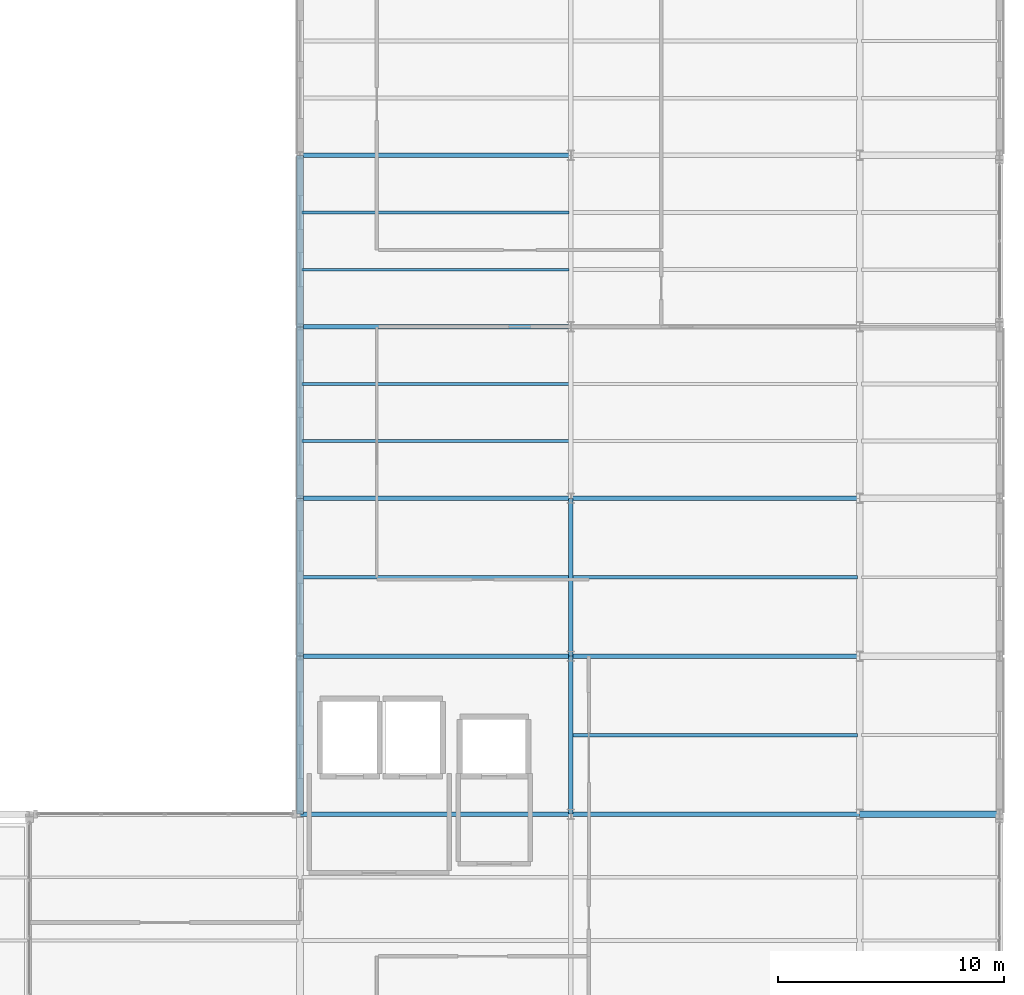
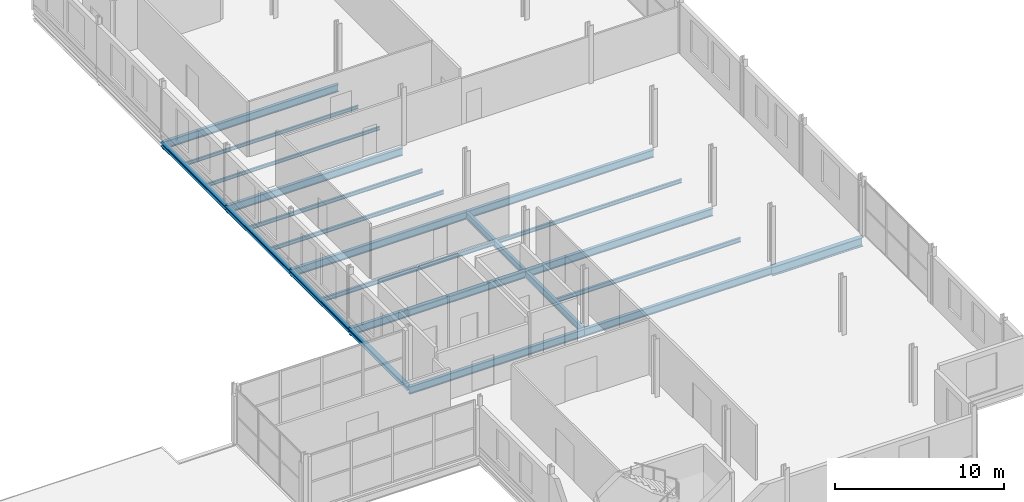
# One storey, part 70 of 93: 22 beams.
"""IFC4 building model written with IfcOpenShell, lengths in metres."""

from ifc_helpers import new_model, si_unit, direction, frame, origin, origin_2d, place, context, subcontext, project, spatial, i_section, extrude, material, material_profile, profile_set, type_object, element, save


model = new_model("IFC4")

# Units and contexts
model_context = context("Model", 3, precision=1e-05, world=origin(), true_north=direction((0.0, 1.0)))
body_context = subcontext(model_context, "Body", "Model", "MODEL_VIEW")
ifc_project = project(units=[si_unit("LENGTHUNIT", "METRE"), si_unit("AREAUNIT", "SQUARE_METRE"), si_unit("VOLUMEUNIT", "CUBIC_METRE"), si_unit("PLANEANGLEUNIT", "RADIAN"), si_unit("MASSUNIT", "GRAM", prefix="KILO")], contexts=[model_context])

# Site, building, storey
site_placement = place(None, origin())
site = spatial("IfcSite", under=ifc_project, at=site_placement, CompositionType="ELEMENT")
building_placement = place(site_placement, origin())
building = spatial("IfcBuilding", under=site, at=building_placement, Name="Vekula Escarpment Museum", CompositionType="ELEMENT")
storey_placement = place(building_placement, frame((0.0, 0.0, 22.199951171875)))
storey = spatial("IfcBuildingStorey", under=building, at=storey_placement, Name="L05", CompositionType="ELEMENT", Elevation=22.199951171875)

# Beams
ifc_material_1 = material(Name="Steel S355", Category="steel")
ifc_material_profile_1 = material_profile(ifc_material_1, i_section(OverallWidth=0.300048828125, OverallDepth=0.64990234375, WebThickness=0.01611328125, FlangeThickness=0.031005859375, FilletRadius=0.027099609375, at=origin_2d()), Name="HEB 650")
ifc_profile_set_1 = profile_set([ifc_material_profile_1], Name="Steel S355")
beam_type_1 = type_object("IfcBeamType", Name="BM-GIRD-HEB650", PredefinedType="BEAM", material=ifc_profile_set_1)
beam_1_placement = place(storey_placement, frame((191.800048828125, 76.39990234375, -0.574951171875), z_axis=(1.0, 0.0, 0.0), x_axis=(0.0, 1.0, 0.0)))
element("IfcBeam", 1, at=beam_1_placement, inside=storey, type_object=beam_type_1, Name="Beam X L05 2028", PredefinedType="BEAM", context=body_context, shape_type="SweptSolid", body=[
    extrude(i_section(OverallWidth=0.300048828125, OverallDepth=0.64990234375, WebThickness=0.01611328125, FlangeThickness=0.031005859375, FilletRadius=0.027099609375, at=origin_2d()), origin(), (0.0, 0.0, 1.0), 6.199951171875),
])
ifc_material_2 = material(Name="Steel S355", Category="steel")
ifc_material_profile_2 = material_profile(ifc_material_2, i_section(OverallWidth=0.199951171875, OverallDepth=0.5, WebThickness=0.01025390625, FlangeThickness=0.01611328125, FilletRadius=0.02099609375, at=origin_2d()), Name="IPE 500")
ifc_profile_set_2 = profile_set([ifc_material_profile_2], Name="Steel S355")
beam_type_2 = type_object("IfcBeamType", Name="BM-GIRD-IPE500", PredefinedType="BEAM", material=ifc_profile_set_2)
for number, where, z_axis, x_axis, name in (
    (2, (179.0, 76.39990234375, -0.5), (0.0, 1.0, 0.0), (-1.0, 0.0, 0.0), "Beam Y L05 2169"),
    (3, (179.0, 83.39990234375, -0.5), (0.0, 1.0, 0.0), (-1.0, 0.0, 0.0), "Beam Y L05 2170"),
):
    element("IfcBeam", number, at=place(storey_placement, frame(where, z_axis=z_axis, x_axis=x_axis)), inside=storey, type_object=beam_type_2, Name=name, PredefinedType="BEAM", context=body_context, shape_type="SweptSolid", body=[
        extrude(i_section(OverallWidth=0.199951171875, OverallDepth=0.5, WebThickness=0.01025390625, FlangeThickness=0.01611328125, FilletRadius=0.02099609375, at=origin_2d()), origin(), (0.0, 0.0, 1.0), 7.0),
    ])
ifc_material_3 = material(Name="Steel S355", Category="steel")
ifc_material_profile_3 = material_profile(ifc_material_3, i_section(OverallWidth=0.2099609375, OverallDepth=0.550048828125, WebThickness=0.010986328125, FlangeThickness=0.01708984375, FilletRadius=0.02392578125, at=origin_2d()), Name="IPE 550")
ifc_profile_set_3 = profile_set([ifc_material_profile_3], Name="Steel S355")
beam_type_3 = type_object("IfcBeamType", Name="BM-GIRD-IPE550", PredefinedType="BEAM", material=ifc_profile_set_3)
beam_2_placement = place(storey_placement, frame((167.0, 76.39990234375, -0.52490234375), z_axis=(1.0, 0.0, 0.0), x_axis=(0.0, 1.0, 0.0)))
element("IfcBeam", 4, at=beam_2_placement, inside=storey, type_object=beam_type_3, Name="Beam X L05 2026", PredefinedType="BEAM", context=body_context, shape_type="SweptSolid", body=[
    extrude(i_section(OverallWidth=0.2099609375, OverallDepth=0.550048828125, WebThickness=0.010986328125, FlangeThickness=0.01708984375, FilletRadius=0.02392578125, at=origin_2d()), origin(), (0.0, 0.0, 1.0), 12.0),
])
beam_3_placement = place(storey_placement, frame((179.0, 76.39990234375, -0.52490234375), z_axis=(1.0, 0.0, 0.0), x_axis=(0.0, 1.0, 0.0)))
element("IfcBeam", 5, at=beam_3_placement, inside=storey, type_object=beam_type_3, Name="Beam X L05 2027", PredefinedType="BEAM", context=body_context, shape_type="SweptSolid", body=[
    extrude(i_section(OverallWidth=0.2099609375, OverallDepth=0.550048828125, WebThickness=0.010986328125, FlangeThickness=0.01708984375, FilletRadius=0.02392578125, at=origin_2d()), origin(), (0.0, 0.0, 1.0), 12.800048828125),
])
beam_4_placement = place(storey_placement, frame((167.0, 83.39990234375, -0.52490234375), z_axis=(1.0, 0.0, 0.0), x_axis=(0.0, 1.0, 0.0)))
element("IfcBeam", 6, at=beam_4_placement, inside=storey, type_object=beam_type_3, Name="Beam X L05 2043", PredefinedType="BEAM", context=body_context, shape_type="SweptSolid", body=[
    extrude(i_section(OverallWidth=0.2099609375, OverallDepth=0.550048828125, WebThickness=0.010986328125, FlangeThickness=0.01708984375, FilletRadius=0.02392578125, at=origin_2d()), origin(), (0.0, 0.0, 1.0), 12.0),
])
beam_5_placement = place(storey_placement, frame((179.0, 83.39990234375, -0.52490234375), z_axis=(1.0, 0.0, 0.0), x_axis=(0.0, 1.0, 0.0)))
element("IfcBeam", 7, at=beam_5_placement, inside=storey, type_object=beam_type_3, Name="Beam X L05 2044", PredefinedType="BEAM", context=body_context, shape_type="SweptSolid", body=[
    extrude(i_section(OverallWidth=0.2099609375, OverallDepth=0.550048828125, WebThickness=0.010986328125, FlangeThickness=0.01708984375, FilletRadius=0.02392578125, at=origin_2d()), origin(), (0.0, 0.0, 1.0), 12.800048828125),
])
beam_6_placement = place(storey_placement, frame((167.0, 90.39990234375, -0.52490234375), z_axis=(1.0, 0.0, 0.0), x_axis=(0.0, 1.0, 0.0)))
element("IfcBeam", 8, at=beam_6_placement, inside=storey, type_object=beam_type_3, Name="Beam X L05 2052", PredefinedType="BEAM", context=body_context, shape_type="SweptSolid", body=[
    extrude(i_section(OverallWidth=0.2099609375, OverallDepth=0.550048828125, WebThickness=0.010986328125, FlangeThickness=0.01708984375, FilletRadius=0.02392578125, at=origin_2d()), origin(), (0.0, 0.0, 1.0), 12.0),
])
beam_7_placement = place(storey_placement, frame((179.0, 90.39990234375, -0.52490234375), z_axis=(1.0, 0.0, 0.0), x_axis=(0.0, 1.0, 0.0)))
element("IfcBeam", 9, at=beam_7_placement, inside=storey, type_object=beam_type_3, Name="Beam X L05 2053", PredefinedType="BEAM", context=body_context, shape_type="SweptSolid", body=[
    extrude(i_section(OverallWidth=0.2099609375, OverallDepth=0.550048828125, WebThickness=0.010986328125, FlangeThickness=0.01708984375, FilletRadius=0.02392578125, at=origin_2d()), origin(), (0.0, 0.0, 1.0), 12.800048828125),
])
for number, where, z_axis, x_axis, name in (
    (10, (167.0, 98.0, -0.52490234375), (1.0, 0.0, 0.0), (0.0, 1.0, 0.0), "Beam X L05 2056"),
    (11, (167.0, 105.60009765625, -0.52490234375), (1.0, 0.0, 0.0), (0.0, 1.0, 0.0), "Beam X L05 2060"),
):
    element("IfcBeam", number, at=place(storey_placement, frame(where, z_axis=z_axis, x_axis=x_axis)), inside=storey, type_object=beam_type_3, Name=name, PredefinedType="BEAM", context=body_context, shape_type="SweptSolid", body=[
        extrude(i_section(OverallWidth=0.2099609375, OverallDepth=0.550048828125, WebThickness=0.010986328125, FlangeThickness=0.01708984375, FilletRadius=0.02392578125, at=origin_2d()), origin(), (0.0, 0.0, 1.0), 12.0),
    ])
ifc_material_4 = material(Name="Steel S355", Category="steel")
ifc_material_profile_4 = material_profile(ifc_material_4, i_section(OverallWidth=0.1201171875, OverallDepth=0.239990234375, WebThickness=0.006103515625, FlangeThickness=0.009765625, FilletRadius=0.014892578125, at=origin_2d()), Name="IPE 240")
ifc_profile_set_4 = profile_set([ifc_material_profile_4], Name="Steel S355")
beam_type_4 = type_object("IfcBeamType", Name="BM-JST-IPE240", PredefinedType="JOIST", material=ifc_profile_set_4)
for number, where, z_axis, x_axis, name in (
    (12, (167.090087890625, 100.533203125, -0.369873046875), (1.0, 0.0, 0.0), (0.0, 1.0, 0.0), "Secondary Joist L05 1394"),
    (13, (167.090087890625, 103.066650390625, -0.369873046875), (1.0, 0.0, 0.0), (0.0, 1.0, 0.0), "Secondary Joist L05 1395"),
):
    element("IfcBeam", number, at=place(storey_placement, frame(where, z_axis=z_axis, x_axis=x_axis)), inside=storey, type_object=beam_type_4, Name=name, PredefinedType="JOIST", context=body_context, shape_type="SweptSolid", body=[
        extrude(i_section(OverallWidth=0.1201171875, OverallDepth=0.239990234375, WebThickness=0.006103515625, FlangeThickness=0.009765625, FilletRadius=0.014892578125, at=origin_2d()), origin(), (0.0, 0.0, 1.0), 11.81982421875),
    ])
ifc_material_5 = material(Name="Steel S355", Category="steel")
ifc_material_profile_5 = material_profile(ifc_material_5, i_section(OverallWidth=0.135009765625, OverallDepth=0.27001953125, WebThickness=0.006591796875, FlangeThickness=0.01025390625, FilletRadius=0.014892578125, at=origin_2d()), Name="IPE 270")
ifc_profile_set_5 = profile_set([ifc_material_profile_5], Name="Steel S355")
beam_type_5 = type_object("IfcBeamType", Name="BM-JST-IPE270", PredefinedType="JOIST", material=ifc_profile_set_5)
for number, where, z_axis, x_axis, name in (
    (14, (167.090087890625, 92.933349609375, -0.385009765625), (1.0, 0.0, 0.0), (0.0, 1.0, 0.0), "Secondary Joist L05 1392"),
    (15, (167.090087890625, 95.466796875, -0.385009765625), (1.0, 0.0, 0.0), (0.0, 1.0, 0.0), "Secondary Joist L05 1393"),
):
    element("IfcBeam", number, at=place(storey_placement, frame(where, z_axis=z_axis, x_axis=x_axis)), inside=storey, type_object=beam_type_5, Name=name, PredefinedType="JOIST", context=body_context, shape_type="SweptSolid", body=[
        extrude(i_section(OverallWidth=0.135009765625, OverallDepth=0.27001953125, WebThickness=0.006591796875, FlangeThickness=0.01025390625, FilletRadius=0.014892578125, at=origin_2d()), origin(), (0.0, 0.0, 1.0), 11.81982421875),
    ])
beam_8_placement = place(storey_placement, frame((179.090087890625, 86.89990234375, -0.385009765625), z_axis=(1.0, 0.0, 0.0), x_axis=(0.0, 1.0, 0.0)))
element("IfcBeam", 16, at=beam_8_placement, inside=storey, type_object=beam_type_5, Name="Secondary Joist L05 1404", PredefinedType="JOIST", context=body_context, shape_type="SweptSolid", body=[
    extrude(i_section(OverallWidth=0.135009765625, OverallDepth=0.27001953125, WebThickness=0.006591796875, FlangeThickness=0.01025390625, FilletRadius=0.014892578125, at=origin_2d()), origin(), (0.0, 0.0, 1.0), 12.619873046875),
])
ifc_material_6 = material(Name="Steel S355", Category="steel")
ifc_material_profile_6 = material_profile(ifc_material_6, i_section(OverallWidth=0.14990234375, OverallDepth=0.300048828125, WebThickness=0.007080078125, FlangeThickness=0.0107421875, FilletRadius=0.014892578125, at=origin_2d()), Name="IPE 300")
ifc_profile_set_6 = profile_set([ifc_material_profile_6], Name="Steel S355")
beam_type_6 = type_object("IfcBeamType", Name="BM-JST-IPE300", PredefinedType="JOIST", material=ifc_profile_set_6)
beam_9_placement = place(storey_placement, frame((167.090087890625, 86.89990234375, -0.39990234375), z_axis=(1.0, 0.0, 0.0), x_axis=(0.0, 1.0, 0.0)))
element("IfcBeam", 17, at=beam_9_placement, inside=storey, type_object=beam_type_6, Name="Secondary Joist L05 1391", PredefinedType="JOIST", context=body_context, shape_type="SweptSolid", body=[
    extrude(i_section(OverallWidth=0.14990234375, OverallDepth=0.300048828125, WebThickness=0.007080078125, FlangeThickness=0.0107421875, FilletRadius=0.014892578125, at=origin_2d()), origin(), (0.0, 0.0, 1.0), 11.81982421875),
])
beam_10_placement = place(storey_placement, frame((179.090087890625, 79.89990234375, -0.39990234375), z_axis=(1.0, 0.0, 0.0), x_axis=(0.0, 1.0, 0.0)))
element("IfcBeam", 18, at=beam_10_placement, inside=storey, type_object=beam_type_6, Name="Secondary Joist L05 1403", PredefinedType="JOIST", context=body_context, shape_type="SweptSolid", body=[
    extrude(i_section(OverallWidth=0.14990234375, OverallDepth=0.300048828125, WebThickness=0.007080078125, FlangeThickness=0.0107421875, FilletRadius=0.014892578125, at=origin_2d()), origin(), (0.0, 0.0, 1.0), 12.619873046875),
])
ifc_material_7 = material(Name="Steel S355", Category="steel")
ifc_material_profile_7 = material_profile(ifc_material_7, i_section(OverallWidth=0.300048828125, OverallDepth=0.2900390625, WebThickness=0.008544921875, FlangeThickness=0.013916015625, FilletRadius=0.027099609375, at=origin_2d()), Name="HEA 300")
ifc_profile_set_7 = profile_set([ifc_material_profile_7], Name="Steel S355")
beam_type_7 = type_object("IfcBeamType", Name="BM-SPAN-HEA300", PredefinedType="SPANDREL", material=ifc_profile_set_7)
for number, where, z_axis, x_axis, name in (
    (19, (167.0, 76.39990234375, -0.39501953125), (0.0, 1.0, 0.0), (-1.0, 0.0, 0.0), "Beam Y L05 2160"),
    (20, (167.0, 83.39990234375, -0.39501953125), (0.0, 1.0, 0.0), (-1.0, 0.0, 0.0), "Beam Y L05 2161"),
):
    element("IfcBeam", number, at=place(storey_placement, frame(where, z_axis=z_axis, x_axis=x_axis)), inside=storey, type_object=beam_type_7, Name=name, PredefinedType="SPANDREL", context=body_context, shape_type="SweptSolid", body=[
        extrude(i_section(OverallWidth=0.300048828125, OverallDepth=0.2900390625, WebThickness=0.008544921875, FlangeThickness=0.013916015625, FilletRadius=0.027099609375, at=origin_2d()), origin(), (0.0, 0.0, 1.0), 7.0),
    ])
for number, where, z_axis, x_axis, name in (
    (21, (167.0, 90.39990234375, -0.39501953125), (0.0, 1.0, 0.0), (-1.0, 0.0, 0.0), "Beam Y L05 2162"),
    (22, (167.0, 98.0, -0.39501953125), (0.0, 1.0, 0.0), (-1.0, 0.0, 0.0), "Beam Y L05 2163"),
):
    element("IfcBeam", number, at=place(storey_placement, frame(where, z_axis=z_axis, x_axis=x_axis)), inside=storey, type_object=beam_type_7, Name=name, PredefinedType="SPANDREL", context=body_context, shape_type="SweptSolid", body=[
        extrude(i_section(OverallWidth=0.300048828125, OverallDepth=0.2900390625, WebThickness=0.008544921875, FlangeThickness=0.013916015625, FilletRadius=0.027099609375, at=origin_2d()), origin(), (0.0, 0.0, 1.0), 7.60009765625),
    ])

save(model, "model.ifc")
